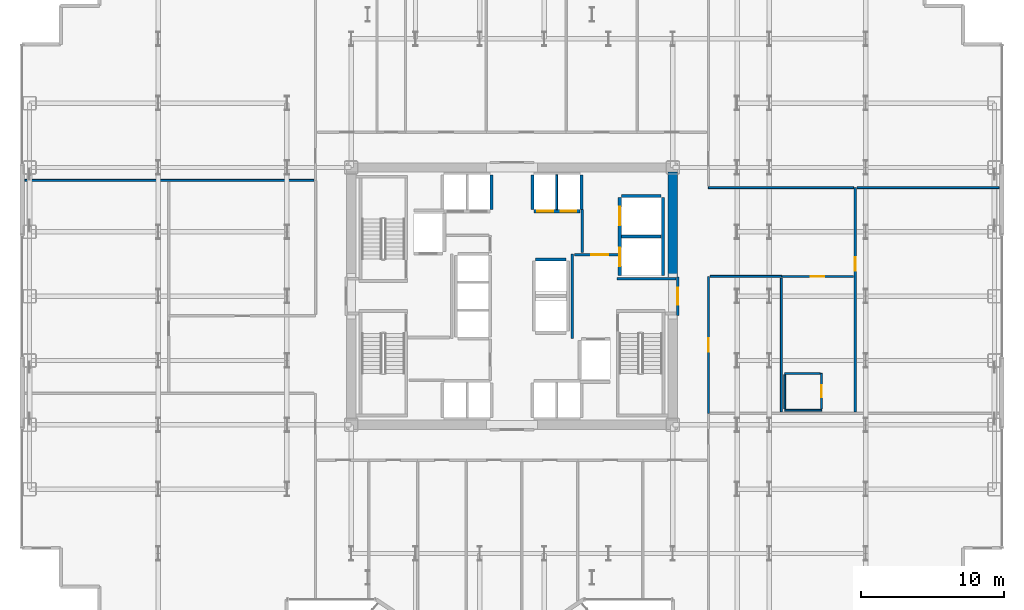
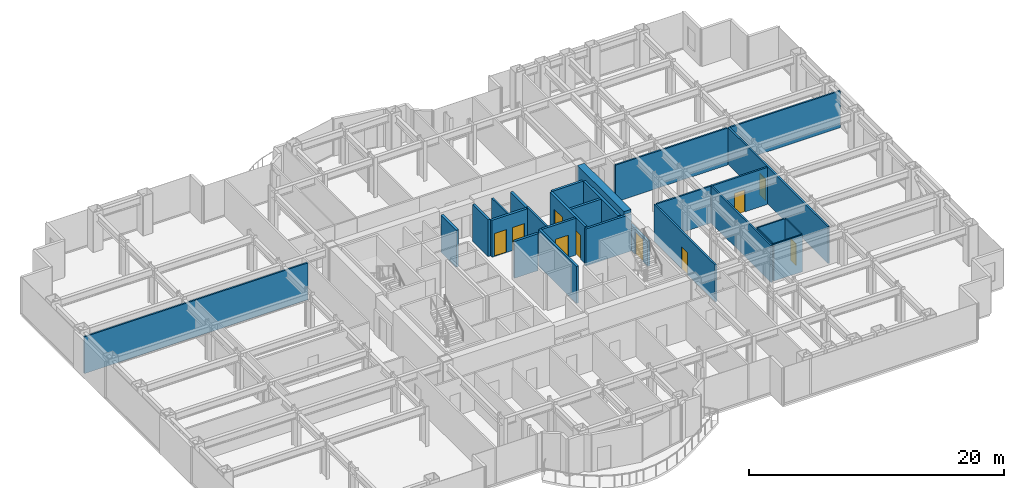
# One storey, part 25 of 29: 28 walls, 10 doors, 10 openings.
"""IFC4 building model written with IfcOpenShell, lengths in metres."""

from ifc_helpers import new_model, si_unit, direction, frame, frame_2d, origin, place, context, subcontext, project, spatial, rectangle, extrude, source, transform, mapped, material, layer, layer_set, type_object, element, fill, save


model = new_model("IFC4")

# Units and contexts
model_context = context("Model", 3, precision=1e-05, world=origin(), true_north=direction((0.0, 1.0)))
body_context = subcontext(model_context, "Body", "Model", "MODEL_VIEW")
ifc_project = project(units=[si_unit("LENGTHUNIT", "METRE"), si_unit("AREAUNIT", "SQUARE_METRE"), si_unit("VOLUMEUNIT", "CUBIC_METRE"), si_unit("PLANEANGLEUNIT", "RADIAN"), si_unit("MASSUNIT", "GRAM", prefix="KILO")], contexts=[model_context])

# Site, building, storey
site_placement = place(None, origin())
site = spatial("IfcSite", under=ifc_project, at=site_placement, CompositionType="ELEMENT")
building_placement = place(site_placement, origin())
building = spatial("IfcBuilding", under=site, at=building_placement, Name="Nefas-Gora Pilgrimage Tower", CompositionType="ELEMENT")
storey_placement = place(building_placement, frame((0.0, 0.0, 78.60009765625)))
storey = spatial("IfcBuildingStorey", under=building, at=storey_placement, Name="L18", CompositionType="ELEMENT", Elevation=78.60009765625)

# Wall
ifc_material_1 = material(Name="Concrete C60/75", Category="concrete")
ifc_layer_1 = layer(ifc_material_1, 0.64990234375)
ifc_layer_set_1 = layer_set([ifc_layer_1], Name="Concrete C60/75")
wall_type_1 = type_object("IfcWallType", Name="SW-CORE-650", PredefinedType="SHEAR", material=ifc_layer_set_1)
shared_shape_1 = source(origin(), body_context, "Body", "SweptSolid", [
    extrude(rectangle(XDim=7.324951171875, YDim=0.64990234375, at=frame_2d((3.66259765625, 0.0))), origin(), (0.0, 0.0, 1.0), 3.7998046875),
])
wall_1_placement = place(storey_placement, frame((11.25, 1.35009765625, 0.0), z_axis=(0.0, 0.0, 1.0), x_axis=(0.0, 1.0, 0.0)))
element("IfcWall", 1, at=wall_1_placement, inside=storey, type_object=wall_type_1, Name="L18 Core Shear Wall E-North", PredefinedType="SHEAR", context=body_context, shape_type="MappedRepresentation", body=[
    mapped(shared_shape_1, transform((0.0, 0.0, 0.0), x_axis=(1.0, 0.0, 0.0), y_axis=(0.0, 1.0, 0.0), z_axis=(0.0, 0.0, 1.0), scale=1.0)),
])

# Wall, openings, doors
ifc_material_2 = material(Name="Concrete C40/50", Category="concrete")
ifc_layer_2 = layer(ifc_material_2, 0.219970703125)
ifc_layer_set_2 = layer_set([ifc_layer_2], Name="Concrete C40/50")
wall_type_2 = type_object("IfcWallType", Name="IW-SHAFT-220", PredefinedType="SOLIDWALL", material=ifc_layer_set_2)
shared_shape_2 = source(origin(), body_context, "Body", "SweptSolid", [
    extrude(rectangle(XDim=5.449951171875, YDim=0.219970703125, at=frame_2d((2.72509765625, 0.0))), origin(), (0.0, 0.0, 1.0), 3.534912109375),
])
wall_2_placement = place(storey_placement, frame((7.5400390625, 6.89990234375, 0.0), z_axis=(0.0, 0.0, 1.0), x_axis=(0.0, -1.0, 0.0)))
wall_2 = element("IfcWall", 2, at=wall_2_placement, inside=storey, type_object=wall_type_2, Name="L18 Hoistway Wall SL-01-02-W", PredefinedType="SOLIDWALL", context=body_context, shape_type="MappedRepresentation", body=[
    mapped(shared_shape_2, transform((0.0, 0.0, 0.0), x_axis=(1.0, 0.0, 0.0), y_axis=(0.0, 1.0, 0.0), z_axis=(0.0, 0.0, 1.0), scale=1.0)),
])
opening_1_placement = place(wall_2_placement, frame((3.5, 0.0, 0.0)))
opening_1 = element("IfcOpeningElement", 3, at=opening_1_placement, cuts=wall_2, Name="Opening LD-SV", PredefinedType="OPENING", context=body_context, shape_type="SweptSolid", body=[
    extrude(rectangle(XDim=1.300048828125, YDim=2.300048828125, at=frame_2d((0.64990234375, 1.14990234375))), frame((0.0, 0.119873046875, 0.0), z_axis=(0.0, -1.0, 0.0), x_axis=(1.0, 0.0, 0.0)), (0.0, 0.0, 1.0), 0.239990234375),
])
opening_2_placement = place(wall_2_placement, frame((0.64990234375, 0.0, 0.0)))
opening_2 = element("IfcOpeningElement", 4, at=opening_2_placement, cuts=wall_2, Name="Opening LD-SV", PredefinedType="OPENING", context=body_context, shape_type="SweptSolid", body=[
    extrude(rectangle(XDim=1.300048828125, YDim=2.300048828125, at=frame_2d((0.64990234375, 1.14990234375))), frame((0.0, 0.119873046875, 0.0), z_axis=(0.0, -1.0, 0.0), x_axis=(1.0, 0.0, 0.0)), (0.0, 0.0, 1.0), 0.239990234375),
])
ifc_material_3 = material(Name="Heavy goods sliding lift landing door")
door_type_1 = type_object("IfcDoorType", Name="DR-LIFT-SERV-1300", OperationType="SLIDING_TO_RIGHT", PredefinedType="DOOR", material=ifc_material_3)
shared_shape_3 = source(origin(), body_context, "Body", "SweptSolid", [
    extrude(rectangle(XDim=1.300048828125, YDim=2.300048828125, at=frame_2d((0.64990234375, 1.14990234375))), frame((0.0, 0.02490234375, 0.0), z_axis=(0.0, -1.0, 0.0), x_axis=(1.0, 0.0, 0.0)), (0.0, 0.0, 1.0), 0.050048828125),
])
door_1_placement = place(opening_1_placement, origin())
door_1 = element("IfcDoor", 5, at=door_1_placement, inside=storey, type_object=door_type_1, Name="L18 Sliding Lift Landing Door SL-01", OperationType="SLIDING_TO_RIGHT", OverallHeight=2.300048828125, OverallWidth=1.300048828125, PredefinedType="DOOR", context=body_context, shape_type="MappedRepresentation", body=[
    mapped(shared_shape_3, transform((0.0, 0.0, 0.0), x_axis=(1.0, 0.0, 0.0), y_axis=(0.0, 1.0, 0.0), z_axis=(0.0, 0.0, 1.0), scale=1.0)),
])
fill(opening_1, door_1)
door_2_placement = place(opening_2_placement, origin())
door_2 = element("IfcDoor", 6, at=door_2_placement, inside=storey, type_object=door_type_1, Name="L18 Sliding Lift Landing Door SL-02", OperationType="SLIDING_TO_RIGHT", OverallHeight=2.300048828125, OverallWidth=1.300048828125, PredefinedType="DOOR", context=body_context, shape_type="MappedRepresentation", body=[
    mapped(shared_shape_3, transform((0.0, 0.0, 0.0), x_axis=(1.0, 0.0, 0.0), y_axis=(0.0, 1.0, 0.0), z_axis=(0.0, 0.0, 1.0), scale=1.0)),
])
fill(opening_2, door_2)

# Walls
wall_3_placement = place(storey_placement, frame((10.56005859375, 1.449951171875, 0.0), z_axis=(0.0, 0.0, 1.0), x_axis=(0.0, 1.0, 0.0)))
element("IfcWall", 7, at=wall_3_placement, inside=storey, type_object=wall_type_2, Name="L18 Hoistway Wall SL-01-02-E", PredefinedType="SOLIDWALL", context=body_context, shape_type="MappedRepresentation", body=[
    mapped(shared_shape_2, transform((0.0, 0.0, 0.0), x_axis=(1.0, 0.0, 0.0), y_axis=(0.0, 1.0, 0.0), z_axis=(0.0, 0.0, 1.0), scale=1.0)),
])
shared_shape_4 = source(origin(), body_context, "Body", "SweptSolid", [
    extrude(rectangle(XDim=2.780029296875, YDim=0.219970703125, at=frame_2d((1.39013671875, 0.0))), origin(), (0.0, 0.0, 1.0), 3.534912109375),
])
for number, where, z_axis, x_axis, name in (
    (8, (7.659912109375, 4.175048828125, 0.0), (0.0, 0.0, 1.0), (1.0, 0.0, 0.0), "L18 Hoistway Wall SL-01-02-DIV"),
    (9, (10.43994140625, 7.010009765625, 0.0), (0.0, 0.0, 1.0), (-1.0, 0.0, 0.0), "L18 Hoistway Wall SL-02-N"),
):
    element("IfcWall", number, at=place(storey_placement, frame(where, z_axis=z_axis, x_axis=x_axis)), inside=storey, type_object=wall_type_2, Name=name, PredefinedType="SOLIDWALL", context=body_context, shape_type="MappedRepresentation", body=[
        mapped(shared_shape_4, transform((0.0, 0.0, 0.0), x_axis=(1.0, 0.0, 0.0), y_axis=(0.0, 1.0, 0.0), z_axis=(0.0, 0.0, 1.0), scale=1.0)),
    ])

# Wall, openings, doors
shared_shape_5 = source(origin(), body_context, "Body", "SweptSolid", [
    extrude(rectangle(XDim=3.199951171875, YDim=0.219970703125, at=frame_2d((1.60009765625, 0.0))), origin(), (0.0, 0.0, 1.0), 3.534912109375),
])
wall_4_placement = place(storey_placement, frame((1.550048828125, 5.93994140625, 0.0), z_axis=(0.0, 0.0, 1.0), x_axis=(1.0, 0.0, 0.0)))
wall_4 = element("IfcWall", 10, at=wall_4_placement, inside=storey, type_object=wall_type_2, Name="L18 Hoistway Wall PL1-E-S", PredefinedType="SOLIDWALL", context=body_context, shape_type="MappedRepresentation", body=[
    mapped(shared_shape_5, transform((0.0, 0.0, 0.0), x_axis=(1.0, 0.0, 0.0), y_axis=(0.0, 1.0, 0.0), z_axis=(0.0, 0.0, 1.0), scale=1.0)),
])
opening_3_placement = place(wall_4_placement, frame((0.22509765625, 0.0, 0.0)))
opening_3 = element("IfcOpeningElement", 11, at=opening_3_placement, cuts=wall_4, Name="Opening LD-01", PredefinedType="OPENING", context=body_context, shape_type="SweptSolid", body=[
    extrude(rectangle(XDim=1.10009765625, YDim=2.199951171875, at=frame_2d((0.550048828125, 1.10009765625))), frame((0.0, 0.119873046875, 0.0), z_axis=(0.0, -1.0, 0.0), x_axis=(1.0, 0.0, 0.0)), (0.0, 0.0, 1.0), 0.239990234375),
])
opening_4_placement = place(wall_4_placement, frame((1.85009765625, 0.0, 0.0)))
opening_4 = element("IfcOpeningElement", 12, at=opening_4_placement, cuts=wall_4, Name="Opening LD-01", PredefinedType="OPENING", context=body_context, shape_type="SweptSolid", body=[
    extrude(rectangle(XDim=1.10009765625, YDim=2.199951171875, at=frame_2d((0.550048828125, 1.10009765625))), frame((0.0, 0.119873046875, 0.0), z_axis=(0.0, -1.0, 0.0), x_axis=(1.0, 0.0, 0.0)), (0.0, 0.0, 1.0), 0.239990234375),
])
ifc_material_4 = material(Name="Brushed stainless sliding lift landing door")
door_type_2 = type_object("IfcDoorType", Name="DR-LIFT-PASS-1100", OperationType="DOUBLE_DOOR_SLIDING", PredefinedType="DOOR", material=ifc_material_4)
shared_shape_6 = source(origin(), body_context, "Body", "SweptSolid", [
    extrude(rectangle(XDim=1.10009765625, YDim=2.199951171875, at=frame_2d((0.550048828125, 1.10009765625))), frame((0.0, 0.02490234375, 0.0), z_axis=(0.0, -1.0, 0.0), x_axis=(1.0, 0.0, 0.0)), (0.0, 0.0, 1.0), 0.050048828125),
])
door_3_placement = place(opening_3_placement, origin())
door_3 = element("IfcDoor", 13, at=door_3_placement, inside=storey, type_object=door_type_2, Name="L18 Sliding Lift Landing Door PL1-03", OperationType="DOUBLE_DOOR_SLIDING", OverallHeight=2.199951171875, OverallWidth=1.10009765625, PredefinedType="DOOR", context=body_context, shape_type="MappedRepresentation", body=[
    mapped(shared_shape_6, transform((0.0, 0.0, 0.0), x_axis=(1.0, 0.0, 0.0), y_axis=(0.0, 1.0, 0.0), z_axis=(0.0, 0.0, 1.0), scale=1.0)),
])
fill(opening_3, door_3)
door_4_placement = place(opening_4_placement, origin())
door_4 = element("IfcDoor", 14, at=door_4_placement, inside=storey, type_object=door_type_2, Name="L18 Sliding Lift Landing Door PL1-04", OperationType="DOUBLE_DOOR_SLIDING", OverallHeight=2.199951171875, OverallWidth=1.10009765625, PredefinedType="DOOR", context=body_context, shape_type="MappedRepresentation", body=[
    mapped(shared_shape_6, transform((0.0, 0.0, 0.0), x_axis=(1.0, 0.0, 0.0), y_axis=(0.0, 1.0, 0.0), z_axis=(0.0, 0.0, 1.0), scale=1.0)),
])
fill(opening_4, door_4)

# Walls
shared_shape_7 = source(origin(), body_context, "Body", "SweptSolid", [
    extrude(rectangle(XDim=2.429931640625, YDim=0.219970703125, at=frame_2d((1.21484375, 0.0))), origin(), (0.0, 0.0, 1.0), 3.534912109375),
])
for number, where, z_axis, x_axis, name in (
    (15, (-1.43994140625, 6.06005859375, 0.0), (0.0, 0.0, 1.0), (0.0, 1.0, 0.0), "L18 Hoistway Wall PL1-W-E"),
    (16, (1.43994140625, 8.489990234375, 0.0), (0.0, 0.0, 1.0), (0.0, -1.0, 0.0), "L18 Hoistway Wall PL1-E-W"),
    (17, (4.860107421875, 6.06005859375, 0.0), (0.0, 0.0, 1.0), (0.0, 1.0, 0.0), "L18 Hoistway Wall PL1-E-E"),
):
    element("IfcWall", number, at=place(storey_placement, frame(where, z_axis=z_axis, x_axis=x_axis)), inside=storey, type_object=wall_type_2, Name=name, PredefinedType="SOLIDWALL", context=body_context, shape_type="MappedRepresentation", body=[
        mapped(shared_shape_7, transform((0.0, 0.0, 0.0), x_axis=(1.0, 0.0, 0.0), y_axis=(0.0, 1.0, 0.0), z_axis=(0.0, 0.0, 1.0), scale=1.0)),
    ])
ifc_material_5 = material(Name="Gypsum twin-stud partition")
ifc_layer_3 = layer(ifc_material_5, 0.139892578125)
ifc_layer_set_3 = layer_set([ifc_layer_3], Name="Gypsum twin-stud partition")
wall_type_3 = type_object("IfcWallType", Name="IW-UNIT-140", PredefinedType="PARTITIONING", material=ifc_layer_set_3)
shared_shape_8 = source(origin(), body_context, "Body", "SweptSolid", [
    extrude(rectangle(XDim=2.429931640625, YDim=0.139892578125, at=frame_2d((1.21484375, 0.0))), origin(), (0.0, 0.0, 1.0), 3.534912109375),
])
wall_5_placement = place(storey_placement, frame((3.125, 6.06005859375, 0.0), z_axis=(0.0, 0.0, 1.0), x_axis=(0.0, 1.0, 0.0)))
element("IfcWall", 18, at=wall_5_placement, inside=storey, type_object=wall_type_3, Name="L18 Hoistway Wall PL1-E-DIV", PredefinedType="PARTITIONING", context=body_context, shape_type="MappedRepresentation", body=[
    mapped(shared_shape_8, transform((0.0, 0.0, 0.0), x_axis=(1.0, 0.0, 0.0), y_axis=(0.0, 1.0, 0.0), z_axis=(0.0, 0.0, 1.0), scale=1.0)),
])
shared_shape_9 = source(origin(), body_context, "Body", "SweptSolid", [
    extrude(rectangle(XDim=2.130126953125, YDim=0.219970703125, at=frame_2d((1.06494140625, 0.0))), origin(), (0.0, 0.0, 1.0), 3.534912109375),
])
wall_6_placement = place(storey_placement, frame((3.7900390625, 2.56005859375, 0.0), z_axis=(0.0, 0.0, 1.0), x_axis=(-1.0, 0.0, 0.0)))
element("IfcWall", 19, at=wall_6_placement, inside=storey, type_object=wall_type_2, Name="L18 Hoistway Wall OBS-02-N", PredefinedType="SOLIDWALL", context=body_context, shape_type="MappedRepresentation", body=[
    mapped(shared_shape_9, transform((0.0, 0.0, 0.0), x_axis=(1.0, 0.0, 0.0), y_axis=(0.0, 1.0, 0.0), z_axis=(0.0, 0.0, 1.0), scale=1.0)),
])
ifc_material_6 = material(Name="Gypsum fire-rated shaftwall")
ifc_layer_4 = layer(ifc_material_6, 0.199951171875)
ifc_layer_set_4 = layer_set([ifc_layer_4], Name="Gypsum fire-rated shaftwall")
wall_type_4 = type_object("IfcWallType", Name="IW-FFLOB-200", PredefinedType="PARTITIONING", material=ifc_layer_set_4)
shared_shape_10 = source(origin(), body_context, "Body", "SweptSolid", [
    extrude(rectangle(XDim=5.89990234375, YDim=0.199951171875, at=frame_2d((2.949951171875, 0.0))), origin(), (0.0, 0.0, 1.0), 3.534912109375),
])
wall_7_placement = place(storey_placement, frame((4.219970703125, -2.949951171875, 0.0), z_axis=(0.0, 0.0, 1.0), x_axis=(0.0, 1.0, 0.0)))
element("IfcWall", 20, at=wall_7_placement, inside=storey, type_object=wall_type_4, Name="L18 FF Lobby East Inner Wall Wall 9", PredefinedType="PARTITIONING", context=body_context, shape_type="MappedRepresentation", body=[
    mapped(shared_shape_10, transform((0.0, 0.0, 0.0), x_axis=(1.0, 0.0, 0.0), y_axis=(0.0, 1.0, 0.0), z_axis=(0.0, 0.0, 1.0), scale=1.0)),
])

# Wall, opening, door
shared_shape_11 = source(origin(), body_context, "Body", "SweptSolid", [
    extrude(rectangle(XDim=3.039794921875, YDim=0.199951171875, at=frame_2d((1.52001953125, 0.0))), origin(), (0.0, 0.0, 1.0), 3.534912109375),
])
wall_8_placement = place(storey_placement, frame((4.360107421875, 2.89990234375, 0.0), z_axis=(0.0, 0.0, 1.0), x_axis=(1.0, 0.0, 0.0)))
wall_8 = element("IfcWall", 21, at=wall_8_placement, inside=storey, type_object=wall_type_4, Name="L18 FF Lobby East North Wall Wall 10", PredefinedType="PARTITIONING", context=body_context, shape_type="MappedRepresentation", body=[
    mapped(shared_shape_11, transform((0.0, 0.0, 0.0), x_axis=(1.0, 0.0, 0.0), y_axis=(0.0, 1.0, 0.0), z_axis=(0.0, 0.0, 1.0), scale=1.0)),
])
opening_5_placement = place(wall_8_placement, frame((1.18994140625, 0.0, 0.0)))
opening_5 = element("IfcOpeningElement", 22, at=opening_5_placement, cuts=wall_8, Name="Opening ID-PL1", PredefinedType="OPENING", context=body_context, shape_type="SweptSolid", body=[
    extrude(rectangle(XDim=1.199951171875, YDim=2.14990234375, at=frame_2d((0.60009765625, 1.074951171875))), frame((0.0, 0.10986328125, 0.0), z_axis=(0.0, -1.0, 0.0), x_axis=(1.0, 0.0, 0.0)), (0.0, 0.0, 1.0), 0.219970703125),
])
ifc_material_7 = material(Name="Heavy-duty steel plant room fire door", Category="steel")
door_type_3 = type_object("IfcDoorType", Name="DR-INT-PLANT-1200", OperationType="NOTDEFINED", PredefinedType="DOOR", material=ifc_material_7)
shared_shape_12 = source(origin(), body_context, "Body", "SweptSolid", [
    extrude(rectangle(XDim=1.199951171875, YDim=2.14990234375, at=frame_2d((0.60009765625, 1.074951171875))), frame((0.0, 0.02490234375, 0.0), z_axis=(0.0, -1.0, 0.0), x_axis=(1.0, 0.0, 0.0)), (0.0, 0.0, 1.0), 0.050048828125),
])
door_5_placement = place(opening_5_placement, origin())
door_5 = element("IfcDoor", 23, at=door_5_placement, inside=storey, type_object=door_type_3, Name="L18 Service Lift Lobby Door Door 3", OperationType="SINGLE_SWING_RIGHT", OverallHeight=2.14990234375, OverallWidth=1.199951171875, PredefinedType="DOOR", context=body_context, shape_type="MappedRepresentation", body=[
    mapped(shared_shape_12, transform((0.0, 0.0, 0.0), x_axis=(1.0, 0.0, 0.0), y_axis=(0.0, 1.0, 0.0), z_axis=(0.0, 0.0, 1.0), scale=1.0)),
])
fill(opening_5, door_5)

# Walls
shared_shape_13 = source(origin(), body_context, "Body", "SweptSolid", [
    extrude(rectangle(XDim=4.10986328125, YDim=0.199951171875, at=frame_2d((2.054931640625, 0.0))), origin(), (0.0, 0.0, 1.0), 3.534912109375),
])
wall_9_placement = place(storey_placement, frame((7.35009765625, 1.219970703125, 0.0), z_axis=(0.0, 0.0, 1.0), x_axis=(1.0, 0.0, 0.0)))
element("IfcWall", 24, at=wall_9_placement, inside=storey, type_object=wall_type_4, Name="L18 FF Lobby East Throat N Wall 11", PredefinedType="PARTITIONING", context=body_context, shape_type="MappedRepresentation", body=[
    mapped(shared_shape_13, transform((0.0, 0.0, 0.0), x_axis=(1.0, 0.0, 0.0), y_axis=(0.0, 1.0, 0.0), z_axis=(0.0, 0.0, 1.0), scale=1.0)),
])
ifc_material_8 = material(Name="Gypsum acoustic stud partition")
ifc_layer_5 = layer(ifc_material_8, 0.159912109375)
ifc_layer_set_5 = layer_set([ifc_layer_5], Name="Gypsum acoustic stud partition")
wall_type_5 = type_object("IfcWallType", Name="IW-CORR-160", PredefinedType="PARTITIONING", material=ifc_layer_set_5)
shared_shape_14 = source(origin(), body_context, "Body", "SweptSolid", [
    extrude(rectangle(XDim=3.014892578125, YDim=0.159912109375, at=frame_2d((1.50732421875, 0.0))), origin(), (0.0, 0.0, 1.0), 3.534912109375),
])
wall_10_placement = place(storey_placement, frame((4.919921875, 3.0400390625, 0.0), z_axis=(0.0, 0.0, 1.0), x_axis=(0.0, 1.0, 0.0)))
element("IfcWall", 25, at=wall_10_placement, inside=storey, type_object=wall_type_5, Name="L18 Service Lift Lobby West Wall Wall 15", PredefinedType="PARTITIONING", context=body_context, shape_type="MappedRepresentation", body=[
    mapped(shared_shape_14, transform((0.0, 0.0, 0.0), x_axis=(1.0, 0.0, 0.0), y_axis=(0.0, 1.0, 0.0), z_axis=(0.0, 0.0, 1.0), scale=1.0)),
])
shared_shape_15 = source(origin(), body_context, "Body", "SweptSolid", [
    extrude(rectangle(XDim=20.219970703125, YDim=0.139892578125, at=frame_2d((10.10986328125, 0.0))), origin(), (0.0, 0.0, 1.0), 3.534912109375),
])
wall_11_placement = place(storey_placement, frame((-34.080078125, 8.097412109375, 0.0), z_axis=(0.0, 0.0, 1.0), x_axis=(1.0, 0.0, 0.0)))
element("IfcWall", 26, at=wall_11_placement, inside=storey, type_object=wall_type_3, Name="L18 Pilgrim Devotional Prayer Gallery Partition Wall 30", PredefinedType="PARTITIONING", context=body_context, shape_type="MappedRepresentation", body=[
    mapped(shared_shape_15, transform((0.0, 0.0, 0.0), x_axis=(1.0, 0.0, 0.0), y_axis=(0.0, 1.0, 0.0), z_axis=(0.0, 0.0, 1.0), scale=1.0)),
])

# Wall, opening, door
shared_shape_16 = source(origin(), body_context, "Body", "SweptSolid", [
    extrude(rectangle(XDim=2.7001953125, YDim=0.199951171875, at=frame_2d((1.35009765625, 0.0))), origin(), (0.0, 0.0, 1.0), 2.4248046875),
])
wall_12_placement = place(storey_placement, frame((11.60009765625, -1.35009765625, 0.0), z_axis=(0.0, 0.0, 1.0), x_axis=(0.0, 1.0, 0.0)))
wall_12 = element("IfcWall", 27, at=wall_12_placement, inside=storey, type_object=wall_type_4, Name="L18 FF Lobby East Portal Wall 8", PredefinedType="PARTITIONING", context=body_context, shape_type="MappedRepresentation", body=[
    mapped(shared_shape_16, transform((0.0, 0.0, 0.0), x_axis=(1.0, 0.0, 0.0), y_axis=(0.0, 1.0, 0.0), z_axis=(0.0, 0.0, 1.0), scale=1.0)),
])
opening_6_placement = place(wall_12_placement, frame((0.75, 0.0, 0.0)))
opening_6 = element("IfcOpeningElement", 28, at=opening_6_placement, cuts=wall_12, Name="Opening ID-FF1", PredefinedType="OPENING", context=body_context, shape_type="SweptSolid", body=[
    extrude(rectangle(XDim=1.199951171875, YDim=2.14990234375, at=frame_2d((0.60009765625, 1.074951171875))), frame((0.0, 0.10986328125, 0.0), z_axis=(0.0, -1.0, 0.0), x_axis=(1.0, 0.0, 0.0)), (0.0, 0.0, 1.0), 0.219970703125),
])
ifc_material_9 = material(Name="Smoke-sealed steel firefighting lobby door", Category="steel")
door_type_4 = type_object("IfcDoorType", Name="DR-INT-FFLOB-1200", OperationType="NOTDEFINED", PredefinedType="DOOR", material=ifc_material_9)
door_6_placement = place(opening_6_placement, origin())
door_6 = element("IfcDoor", 29, at=door_6_placement, inside=storey, type_object=door_type_4, Name="L18 FF Lobby East Portal Door 2", OperationType="SINGLE_SWING_LEFT", OverallHeight=2.14990234375, OverallWidth=1.199951171875, PredefinedType="DOOR", context=body_context, shape_type="MappedRepresentation", body=[
    mapped(shared_shape_12, transform((0.0, 0.0, 0.0), x_axis=(1.0, 0.0, 0.0), y_axis=(0.0, 1.0, 0.0), z_axis=(0.0, 0.0, 1.0), scale=1.0)),
])
fill(opening_6, door_6)

# Walls
shared_shape_17 = source(origin(), body_context, "Body", "SweptSolid", [
    extrude(rectangle(XDim=10.169921875, YDim=0.139892578125, at=frame_2d((5.0849609375, 0.0))), origin(), (0.0, 0.0, 1.0), 3.534912109375),
])
wall_13_placement = place(storey_placement, frame((13.72998046875, 7.594970703125, 0.0), z_axis=(0.0, 0.0, 1.0), x_axis=(1.0, 0.0, 0.0)))
element("IfcWall", 30, at=wall_13_placement, inside=storey, type_object=wall_type_3, Name="L18 Pilgrim Contemplative Lounge Partition Wall 37", PredefinedType="PARTITIONING", context=body_context, shape_type="MappedRepresentation", body=[
    mapped(shared_shape_17, transform((0.0, 0.0, 0.0), x_axis=(1.0, 0.0, 0.0), y_axis=(0.0, 1.0, 0.0), z_axis=(0.0, 0.0, 1.0), scale=1.0)),
])
shared_shape_18 = source(origin(), body_context, "Body", "SweptSolid", [
    extrude(rectangle(XDim=4.994873046875, YDim=0.139892578125, at=frame_2d((2.49755859375, 0.0))), origin(), (0.0, 0.0, 1.0), 3.534912109375),
])
wall_14_placement = place(storey_placement, frame((13.860107421875, 1.3798828125, 0.0), z_axis=(0.0, 0.0, 1.0), x_axis=(1.0, 0.0, 0.0)))
element("IfcWall", 31, at=wall_14_placement, inside=storey, type_object=wall_type_3, Name="L18 Pilgrim Contemplative Lounge Partition Wall 40", PredefinedType="PARTITIONING", context=body_context, shape_type="MappedRepresentation", body=[
    mapped(shared_shape_18, transform((0.0, 0.0, 0.0), x_axis=(1.0, 0.0, 0.0), y_axis=(0.0, 1.0, 0.0), z_axis=(0.0, 0.0, 1.0), scale=1.0)),
])

# Wall, opening, door
shared_shape_19 = source(origin(), body_context, "Body", "SweptSolid", [
    extrude(rectangle(XDim=5.044921875, YDim=0.159912109375, at=frame_2d((2.5224609375, 0.0))), origin(), (0.0, 0.0, 1.0), 3.534912109375),
])
wall_15_placement = place(storey_placement, frame((18.85498046875, 1.3798828125, 0.0), z_axis=(0.0, 0.0, 1.0), x_axis=(1.0, 0.0, 0.0)))
wall_15 = element("IfcWall", 32, at=wall_15_placement, inside=storey, type_object=wall_type_5, Name="L18 Pilgrim Sanctuary Suite Partition Wall 42", PredefinedType="PARTITIONING", context=body_context, shape_type="MappedRepresentation", body=[
    mapped(shared_shape_19, transform((0.0, 0.0, 0.0), x_axis=(1.0, 0.0, 0.0), y_axis=(0.0, 1.0, 0.0), z_axis=(0.0, 0.0, 1.0), scale=1.0)),
])
opening_7_placement = place(wall_15_placement, frame((2.047607421875, 0.0, 0.0)))
opening_7 = element("IfcOpeningElement", 33, at=opening_7_placement, cuts=wall_15, Name="Opening ID-GR1", PredefinedType="OPENING", context=body_context, shape_type="SweptSolid", body=[
    extrude(rectangle(XDim=0.949951171875, YDim=2.10009765625, at=frame_2d((0.47509765625, 1.050048828125))), frame((0.0, 0.08984375, 0.0), z_axis=(0.0, -1.0, 0.0), x_axis=(1.0, 0.0, 0.0)), (0.0, 0.0, 1.0), 0.179931640625),
])
ifc_material_10 = material(Name="Solid core oak fire-rated guest entrance door")
door_type_5 = type_object("IfcDoorType", Name="DR-INT-GUEST-950", OperationType="NOTDEFINED", PredefinedType="DOOR", material=ifc_material_10)
shared_shape_20 = source(origin(), body_context, "Body", "SweptSolid", [
    extrude(rectangle(XDim=0.949951171875, YDim=2.10009765625, at=frame_2d((0.47509765625, 1.050048828125))), frame((0.0, 0.02490234375, 0.0), z_axis=(0.0, -1.0, 0.0), x_axis=(1.0, 0.0, 0.0)), (0.0, 0.0, 1.0), 0.050048828125),
])
door_7_placement = place(opening_7_placement, origin())
door_7 = element("IfcDoor", 34, at=door_7_placement, inside=storey, type_object=door_type_5, Name="L18 Pilgrim Sanctuary Suite Door 17", OperationType="SINGLE_SWING_RIGHT", OverallHeight=2.10009765625, OverallWidth=0.949951171875, PredefinedType="DOOR", context=body_context, shape_type="MappedRepresentation", body=[
    mapped(shared_shape_20, transform((0.0, 0.0, 0.0), x_axis=(1.0, 0.0, 0.0), y_axis=(0.0, 1.0, 0.0), z_axis=(0.0, 0.0, 1.0), scale=1.0)),
])
fill(opening_7, door_7)

# Wall
ifc_material_11 = material(Name="Moisture-resistant fire-rated gypsum partition")
ifc_layer_6 = layer(ifc_material_11, 0.1201171875)
ifc_layer_set_6 = layer_set([ifc_layer_6], Name="Moisture-resistant fire-rated gypsum partition")
wall_type_6 = type_object("IfcWallType", Name="IW-WET-120", PredefinedType="PLUMBINGWALL", material=ifc_layer_set_6)
shared_shape_21 = source(origin(), body_context, "Body", "SweptSolid", [
    extrude(rectangle(XDim=2.580078125, YDim=0.1201171875, at=frame_2d((1.2900390625, 0.0))), origin(), (0.0, 0.0, 1.0), 3.534912109375),
])
wall_16_placement = place(storey_placement, frame((19.074951171875, -7.985107421875, 0.0), z_axis=(0.0, 0.0, 1.0), x_axis=(1.0, 0.0, 0.0)))
element("IfcWall", 35, at=wall_16_placement, inside=storey, type_object=wall_type_6, Name="L18 En-Suite Bathroom Wall 16", PredefinedType="PLUMBINGWALL", context=body_context, shape_type="MappedRepresentation", body=[
    mapped(shared_shape_21, transform((0.0, 0.0, 0.0), x_axis=(1.0, 0.0, 0.0), y_axis=(0.0, 1.0, 0.0), z_axis=(0.0, 0.0, 1.0), scale=1.0)),
])

# Wall, opening, door
shared_shape_22 = source(origin(), body_context, "Body", "SweptSolid", [
    extrude(rectangle(XDim=2.47998046875, YDim=0.1201171875, at=frame_2d((1.239990234375, 0.0))), origin(), (0.0, 0.0, 1.0), 3.534912109375),
])
wall_17_placement = place(storey_placement, frame((21.655029296875, -7.885009765625, 0.0), z_axis=(0.0, 0.0, 1.0), x_axis=(0.0, 1.0, 0.0)))
wall_17 = element("IfcWall", 36, at=wall_17_placement, inside=storey, type_object=wall_type_6, Name="L18 En-Suite Bathroom Wall 17", PredefinedType="PLUMBINGWALL", context=body_context, shape_type="MappedRepresentation", body=[
    mapped(shared_shape_22, transform((0.0, 0.0, 0.0), x_axis=(1.0, 0.0, 0.0), y_axis=(0.0, 1.0, 0.0), z_axis=(0.0, 0.0, 1.0), scale=1.0)),
])
opening_8_placement = place(wall_17_placement, frame((0.81494140625, 0.0, 0.0)))
opening_8 = element("IfcOpeningElement", 37, at=opening_8_placement, cuts=wall_17, Name="Opening ID-BT1", PredefinedType="OPENING", context=body_context, shape_type="SweptSolid", body=[
    extrude(rectangle(XDim=0.85009765625, YDim=2.10009765625, at=frame_2d((0.425048828125, 1.050048828125))), frame((0.0, 0.070068359375, 0.0), z_axis=(0.0, -1.0, 0.0), x_axis=(1.0, 0.0, 0.0)), (0.0, 0.0, 1.0), 0.14013671875),
])
ifc_material_12 = material(Name="Moisture-resistant fire-rated timber door", Category="wood")
door_type_6 = type_object("IfcDoorType", Name="DR-INT-BATH-850", OperationType="NOTDEFINED", PredefinedType="DOOR", material=ifc_material_12)
shared_shape_23 = source(origin(), body_context, "Body", "SweptSolid", [
    extrude(rectangle(XDim=0.85009765625, YDim=2.10009765625, at=frame_2d((0.425048828125, 1.050048828125))), frame((0.0, 0.02490234375, 0.0), z_axis=(0.0, -1.0, 0.0), x_axis=(1.0, 0.0, 0.0)), (0.0, 0.0, 1.0), 0.050048828125),
])
door_8_placement = place(opening_8_placement, origin())
door_8 = element("IfcDoor", 38, at=door_8_placement, inside=storey, type_object=door_type_6, Name="L18 En-Suite Bathroom Door 6", OperationType="SINGLE_SWING_LEFT", OverallHeight=2.10009765625, OverallWidth=0.85009765625, PredefinedType="DOOR", context=body_context, shape_type="MappedRepresentation", body=[
    mapped(shared_shape_23, transform((0.0, 0.0, 0.0), x_axis=(1.0, 0.0, 0.0), y_axis=(0.0, 1.0, 0.0), z_axis=(0.0, 0.0, 1.0), scale=1.0)),
])
fill(opening_8, door_8)

# Walls
wall_18_placement = place(storey_placement, frame((19.074951171875, -5.405029296875, 0.0), z_axis=(0.0, 0.0, 1.0), x_axis=(1.0, 0.0, 0.0)))
element("IfcWall", 39, at=wall_18_placement, inside=storey, type_object=wall_type_6, Name="L18 En-Suite Bathroom Wall 18", PredefinedType="PLUMBINGWALL", context=body_context, shape_type="MappedRepresentation", body=[
    mapped(shared_shape_22, transform((0.0, 0.0, 0.0), x_axis=(1.0, 0.0, 0.0), y_axis=(0.0, 1.0, 0.0), z_axis=(0.0, 0.0, 1.0), scale=1.0)),
])
shared_shape_24 = source(origin(), body_context, "Body", "SweptSolid", [
    extrude(rectangle(XDim=2.380126953125, YDim=0.1201171875, at=frame_2d((1.18994140625, 0.0))), origin(), (0.0, 0.0, 1.0), 3.534912109375),
])
wall_19_placement = place(storey_placement, frame((19.074951171875, -7.885009765625, 0.0), z_axis=(0.0, 0.0, 1.0), x_axis=(0.0, 1.0, 0.0)))
element("IfcWall", 40, at=wall_19_placement, inside=storey, type_object=wall_type_6, Name="L18 En-Suite Bathroom Wall 19", PredefinedType="PLUMBINGWALL", context=body_context, shape_type="MappedRepresentation", body=[
    mapped(shared_shape_24, transform((0.0, 0.0, 0.0), x_axis=(1.0, 0.0, 0.0), y_axis=(0.0, 1.0, 0.0), z_axis=(0.0, 0.0, 1.0), scale=1.0)),
])

# Wall, opening, door
shared_shape_25 = source(origin(), body_context, "Body", "SweptSolid", [
    extrude(rectangle(XDim=15.699951171875, YDim=0.159912109375, at=frame_2d((7.85009765625, 0.0))), origin(), (0.0, 0.0, 1.0), 3.534912109375),
])
wall_20_placement = place(storey_placement, frame((24.02001953125, -8.094970703125, 0.0), z_axis=(0.0, 0.0, 1.0), x_axis=(0.0, 1.0, 0.0)))
wall_20 = element("IfcWall", 41, at=wall_20_placement, inside=storey, type_object=wall_type_5, Name="L18 Pilgrim Contemplative Lounge Partition Wall 36", PredefinedType="PARTITIONING", context=body_context, shape_type="MappedRepresentation", body=[
    mapped(shared_shape_25, transform((0.0, 0.0, 0.0), x_axis=(1.0, 0.0, 0.0), y_axis=(0.0, 1.0, 0.0), z_axis=(0.0, 0.0, 1.0), scale=1.0)),
])
opening_9_placement = place(wall_20_placement, frame((9.8701171875, 0.0, 0.0)))
opening_9 = element("IfcOpeningElement", 42, at=opening_9_placement, cuts=wall_20, Name="Opening ID-GR1", PredefinedType="OPENING", context=body_context, shape_type="SweptSolid", body=[
    extrude(rectangle(XDim=0.949951171875, YDim=2.10009765625, at=frame_2d((0.47509765625, 1.050048828125))), frame((0.0, 0.08984375, 0.0), z_axis=(0.0, -1.0, 0.0), x_axis=(1.0, 0.0, 0.0)), (0.0, 0.0, 1.0), 0.179931640625),
])
door_9_placement = place(opening_9_placement, origin())
door_9 = element("IfcDoor", 43, at=door_9_placement, inside=storey, type_object=door_type_5, Name="L18 Pilgrim Contemplative Lounge Door 15", OperationType="SINGLE_SWING_RIGHT", OverallHeight=2.10009765625, OverallWidth=0.949951171875, PredefinedType="DOOR", context=body_context, shape_type="MappedRepresentation", body=[
    mapped(shared_shape_20, transform((0.0, 0.0, 0.0), x_axis=(1.0, 0.0, 0.0), y_axis=(0.0, 1.0, 0.0), z_axis=(0.0, 0.0, 1.0), scale=1.0)),
])
fill(opening_9, door_9)

# Wall
shared_shape_26 = source(origin(), body_context, "Body", "SweptSolid", [
    extrude(rectangle(XDim=9.940185546875, YDim=0.139892578125, at=frame_2d((4.97021484375, 0.0))), origin(), (0.0, 0.0, 1.0), 3.534912109375),
])
wall_21_placement = place(storey_placement, frame((24.139892578125, 7.594970703125, 0.0), z_axis=(0.0, 0.0, 1.0), x_axis=(1.0, 0.0, 0.0)))
element("IfcWall", 44, at=wall_21_placement, inside=storey, type_object=wall_type_3, Name="L18 Pilgrim Contemplative Lounge Partition Wall 38", PredefinedType="PARTITIONING", context=body_context, shape_type="MappedRepresentation", body=[
    mapped(shared_shape_26, transform((0.0, 0.0, 0.0), x_axis=(1.0, 0.0, 0.0), y_axis=(0.0, 1.0, 0.0), z_axis=(0.0, 0.0, 1.0), scale=1.0)),
])

# Wall, opening, door
shared_shape_27 = source(origin(), body_context, "Body", "SweptSolid", [
    extrude(rectangle(XDim=9.594970703125, YDim=0.159912109375, at=frame_2d((4.79736328125, 0.0))), origin(), (0.0, 0.0, 1.0), 3.534912109375),
])
wall_22_placement = place(storey_placement, frame((13.739990234375, -8.205078125, 0.0), z_axis=(0.0, 0.0, 1.0), x_axis=(0.0, 1.0, 0.0)))
wall_22 = element("IfcWall", 45, at=wall_22_placement, inside=storey, type_object=wall_type_5, Name="L18 Pilgrim Contemplative Lounge Partition Wall 39", PredefinedType="PARTITIONING", context=body_context, shape_type="MappedRepresentation", body=[
    mapped(shared_shape_27, transform((0.0, 0.0, 0.0), x_axis=(1.0, 0.0, 0.0), y_axis=(0.0, 1.0, 0.0), z_axis=(0.0, 0.0, 1.0), scale=1.0)),
])
opening_10_placement = place(wall_22_placement, frame((4.322509765625, 0.0, 0.0)))
opening_10 = element("IfcOpeningElement", 46, at=opening_10_placement, cuts=wall_22, Name="Opening ID-GR1", PredefinedType="OPENING", context=body_context, shape_type="SweptSolid", body=[
    extrude(rectangle(XDim=0.949951171875, YDim=2.10009765625, at=frame_2d((0.47509765625, 1.050048828125))), frame((0.0, 0.08984375, 0.0), z_axis=(0.0, -1.0, 0.0), x_axis=(1.0, 0.0, 0.0)), (0.0, 0.0, 1.0), 0.179931640625),
])
door_10_placement = place(opening_10_placement, origin())
door_10 = element("IfcDoor", 47, at=door_10_placement, inside=storey, type_object=door_type_5, Name="L18 Pilgrim Contemplative Lounge Door 16", OperationType="SINGLE_SWING_LEFT", OverallHeight=2.10009765625, OverallWidth=0.949951171875, PredefinedType="DOOR", context=body_context, shape_type="MappedRepresentation", body=[
    mapped(shared_shape_20, transform((0.0, 0.0, 0.0), x_axis=(1.0, 0.0, 0.0), y_axis=(0.0, 1.0, 0.0), z_axis=(0.0, 0.0, 1.0), scale=1.0)),
])
fill(opening_10, door_10)

# Wall
shared_shape_28 = source(origin(), body_context, "Body", "SweptSolid", [
    extrude(rectangle(XDim=9.364990234375, YDim=0.139892578125, at=frame_2d((4.6826171875, 0.0))), origin(), (0.0, 0.0, 1.0), 3.534912109375),
])
wall_23_placement = place(storey_placement, frame((18.844970703125, -8.094970703125, 0.0), z_axis=(0.0, 0.0, 1.0), x_axis=(0.0, 1.0, 0.0)))
element("IfcWall", 48, at=wall_23_placement, inside=storey, type_object=wall_type_3, Name="L18 Pilgrim Contemplative Lounge Partition Wall 41", PredefinedType="PARTITIONING", context=body_context, shape_type="MappedRepresentation", body=[
    mapped(shared_shape_28, transform((0.0, 0.0, 0.0), x_axis=(1.0, 0.0, 0.0), y_axis=(0.0, 1.0, 0.0), z_axis=(0.0, 0.0, 1.0), scale=1.0)),
])

save(model, "model.ifc")
